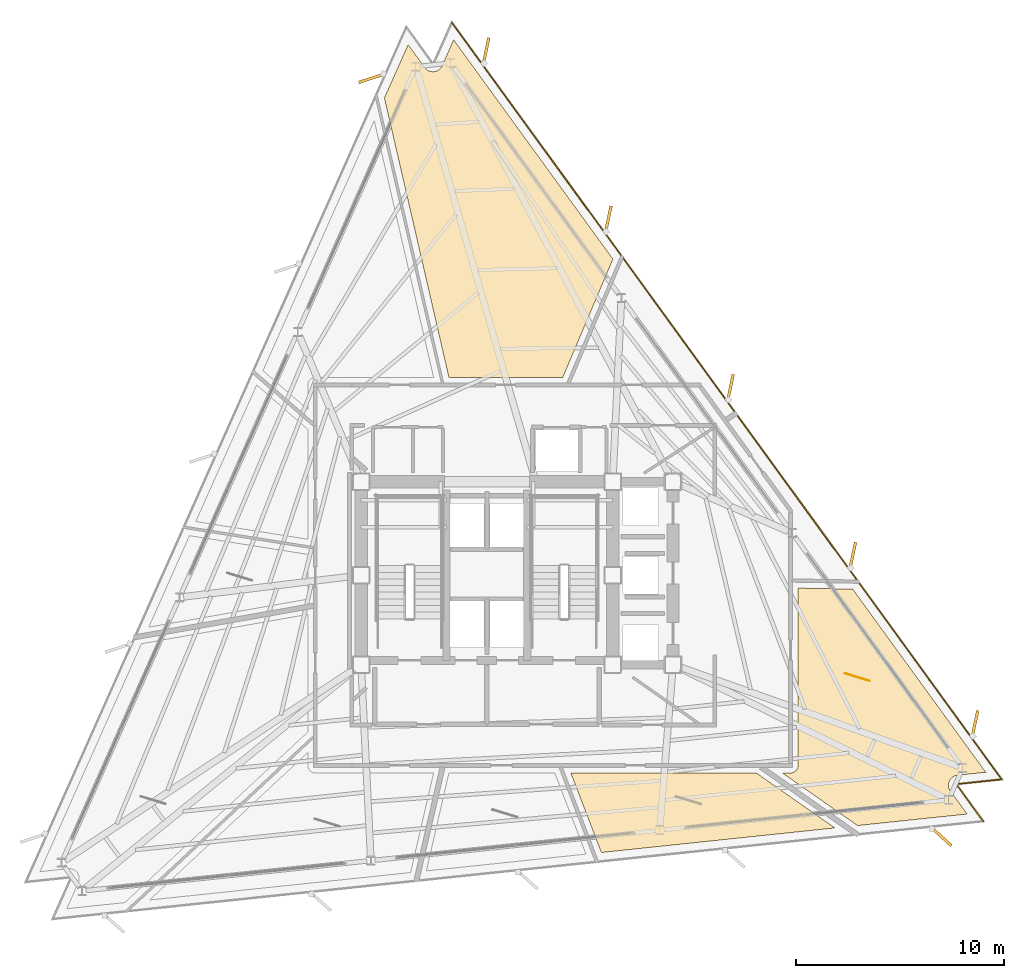
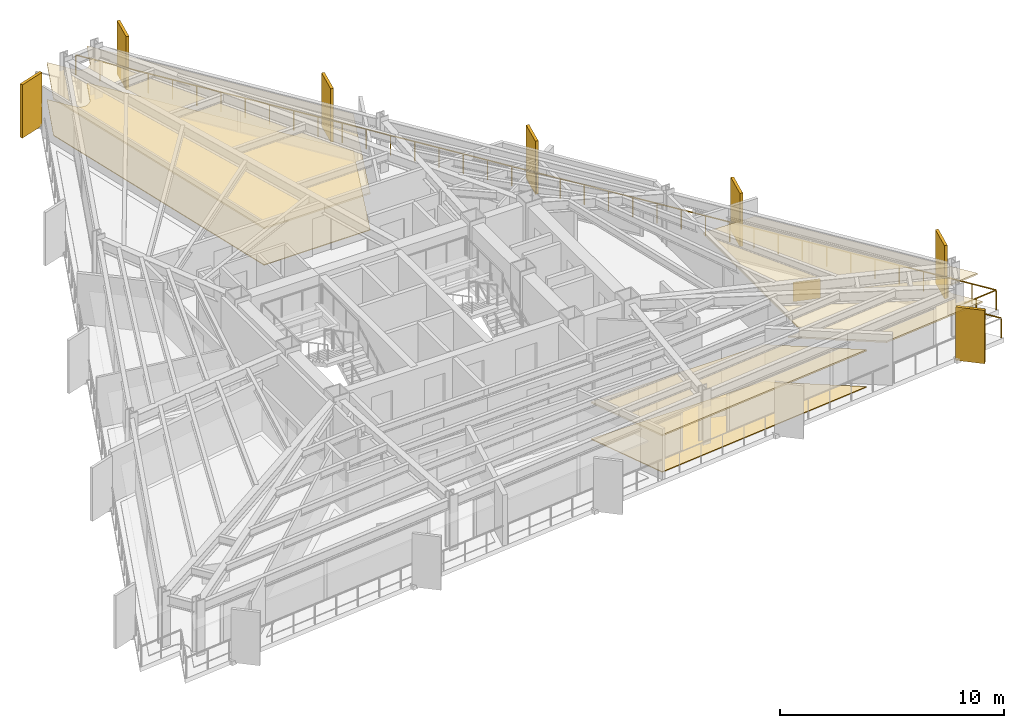
# One storey, part 12 of 12: 7 shading devices, 6 coverings, 1 railing.
"""IFC4 building model written with IfcOpenShell, lengths in metres."""

from ifc_helpers import new_model, si_unit, direction, frame, origin, origin_2d, place, context, subcontext, project, spatial, polyline, rectangle, outline, extrude, material, layer, layer_set, type_object, element, save


model = new_model("IFC4")

# Units and contexts
model_context = context("Model", 3, precision=1e-05, world=origin(), true_north=direction((0.0, 1.0)))
body_context = subcontext(model_context, "Body", "Model", "MODEL_VIEW")
ifc_project = project(units=[si_unit("LENGTHUNIT", "METRE"), si_unit("AREAUNIT", "SQUARE_METRE"), si_unit("VOLUMEUNIT", "CUBIC_METRE"), si_unit("PLANEANGLEUNIT", "RADIAN"), si_unit("MASSUNIT", "GRAM", prefix="KILO")], contexts=[model_context])

# Site, building, storey
site_placement = place(None, origin())
site = spatial("IfcSite", under=ifc_project, at=site_placement, CompositionType="ELEMENT")
building_placement = place(site_placement, origin())
building = spatial("IfcBuilding", under=site, at=building_placement, Name="Rocaltana Carrier Exchange", CompositionType="ELEMENT")
storey_placement = place(building_placement, frame((0.0, 0.0, 113.760009765625)))
storey = spatial("IfcBuildingStorey", under=building, at=storey_placement, Name="L35", CompositionType="ELEMENT", Elevation=113.760009765625)

# Coverings
ifc_material_1 = material(Name="Honed Bogota Sandstone Tile", Category="masonry")
ifc_layer_1 = layer(ifc_material_1, 0.0400390625)
ifc_layer_set_1 = layer_set([ifc_layer_1], Name="Honed Bogota Sandstone Tile")
covering_type_1 = type_object("IfcCoveringType", Name="Honed Stone Lobby Flooring 40", PredefinedType="FLOORING", material=ifc_layer_set_1)
covering_1_placement = place(storey_placement, origin())
element("IfcCovering", 1, at=covering_1_placement, inside=storey, type_object=covering_type_1, Name="L35 Executive Peering Boardroom Finish Floor", PredefinedType="FLOORING", context=body_context, shape_type="SweptSolid", body=[
    extrude(outline(polyline([(5.5048828125, -13.3359375), (4.0361328125, -9.510009765625), (12.9541015625, -9.510009765625), (16.732666015625, -12.15576171875), (5.5048828125, -13.3359375)])), origin(), (0.0, 0.0, 1.0), 0.0400390625),
])
covering_2_placement = place(storey_placement, origin())
element("IfcCovering", 2, at=covering_2_placement, inside=storey, type_object=covering_type_1, Name="L35 Peering Conference Room Finish Floor", PredefinedType="FLOORING", context=body_context, shape_type="SweptSolid", body=[
    extrude(outline(polyline([(-3.787841796875, 25.51513671875), (-2.9833984375, 24.407958984375), (-2.974853515625, 24.39697265625), (-2.96240234375, 24.38134765625), (-2.943603515625, 24.360595703125), (-2.9296875, 24.34619140625), (-2.9091796875, 24.327392578125), (-2.893798828125, 24.314697265625), (-2.87158203125, 24.2978515625), (-2.85498046875, 24.286865234375), (-2.8310546875, 24.272216796875), (-2.8134765625, 24.262939453125), (-2.788330078125, 24.2509765625), (-2.77001953125, 24.243408203125), (-2.74365234375, 24.23388671875), (-2.724609375, 24.22802734375), (-2.697509765625, 24.22119140625), (-2.677978515625, 24.217529296875), (-2.650390625, 24.21337890625), (-2.630615234375, 24.211669921875), (-2.6025390625, 24.210205078125), (-2.58251953125, 24.21044921875), (-2.5546875, 24.2119140625), (-2.534912109375, 24.214111328125), (-2.50732421875, 24.21826171875), (-2.48779296875, 24.222412109375), (-2.460693359375, 24.2294921875), (-2.44189453125, 24.2353515625), (-2.41552734375, 24.2451171875), (-2.397216796875, 24.2529296875), (-2.372314453125, 24.26513671875), (-2.354736328125, 24.274658203125), (-2.3310546875, 24.289306640625), (-2.314697265625, 24.30078125), (-2.29248046875, 24.317626953125), (-2.277099609375, 24.33056640625), (-2.2568359375, 24.349609375), (-2.242919921875, 24.364013671875), (-2.224609375, 24.385009765625), (-2.212158203125, 24.400634765625), (-2.196044921875, 24.42333984375), (-2.185302734375, 24.440185546875), (-2.17138671875, 24.464599609375), (-2.16259765625, 24.482421875), (-2.156494140625, 24.494873046875), (-1.599853515625, 25.7451171875), (6.061279296875, 15.20068359375), (3.645751953125, 9.510009765625), (-1.826171875, 9.510009765625), (-4.92919921875, 22.951416015625), (-3.787841796875, 25.51513671875)])), origin(), (0.0, 0.0, 1.0), 0.0400390625),
])
ifc_material_2 = material(Name="Anodised Aluminium 6063-T6", Category="aluminium")
ifc_layer_2 = layer(ifc_material_2, 0.0849609375)
ifc_layer_set_2 = layer_set([ifc_layer_2], Name="Anodised Aluminium 6063-T6")
covering_type_2 = type_object("IfcCoveringType", Name="Linear Baffle Acoustic Ceiling 85", PredefinedType="CEILING", material=ifc_layer_set_2)
covering_3_placement = place(storey_placement, frame((0.0, 0.0, 1.972900390625)))
element("IfcCovering", 3, at=covering_3_placement, inside=storey, type_object=covering_type_2, Name="L35 Executive Peering Boardroom Acoustic Ceiling", PredefinedType="CEILING", context=body_context, shape_type="SweptSolid", body=[
    extrude(outline(polyline([(5.5048828125, -13.3359375), (4.0361328125, -9.510009765625), (12.9541015625, -9.510009765625), (16.732666015625, -12.15576171875), (5.5048828125, -13.3359375)])), origin(), (0.0, 0.0, 1.0), 0.085205078125),
])
covering_4_placement = place(storey_placement, frame((0.0, 0.0, 1.972900390625)))
element("IfcCovering", 4, at=covering_4_placement, inside=storey, type_object=covering_type_2, Name="L35 Quiet Focus Lounge Acoustic Ceiling", PredefinedType="CEILING", context=body_context, shape_type="SweptSolid", body=[
    extrude(outline(polyline([(23.99072265625, -9.477294921875), (22.62939453125, -9.620361328125), (22.61572265625, -9.6220703125), (22.595947265625, -9.625244140625), (22.568603515625, -9.630859375), (22.54931640625, -9.635986328125), (22.522705078125, -9.644287109375), (22.50390625, -9.651123046875), (22.478271484375, -9.662109375), (22.46044921875, -9.6708984375), (22.43603515625, -9.684326171875), (22.4189453125, -9.69482421875), (22.39599609375, -9.710693359375), (22.380126953125, -9.722900390625), (22.35888671875, -9.74072265625), (22.344482421875, -9.75439453125), (22.324951171875, -9.774658203125), (22.311767578125, -9.78955078125), (22.294677734375, -9.8115234375), (22.282958984375, -9.82763671875), (22.26806640625, -9.851318359375), (22.258056640625, -9.86865234375), (22.24560546875, -9.8935546875), (22.2373046875, -9.91162109375), (22.227294921875, -9.937744140625), (22.220947265625, -9.956787109375), (22.213623046875, -9.983642578125), (22.209228515625, -10.0029296875), (22.20458984375, -10.030517578125), (22.2021484375, -10.05029296875), (22.2001953125, -10.078125), (22.19970703125, -10.09814453125), (22.20068359375, -10.1259765625), (22.202392578125, -10.14599609375), (22.205810546875, -10.173583984375), (22.20947265625, -10.193115234375), (22.2158203125, -10.220458984375), (22.22119140625, -10.239501953125), (22.230224609375, -10.26611328125), (22.23779296875, -10.284423828125), (22.249267578125, -10.309814453125), (22.258544921875, -10.32763671875), (22.272705078125, -10.351806640625), (22.283447265625, -10.368408203125), (22.29150390625, -10.3798828125), (23.095947265625, -11.487060546875), (17.82421875, -12.041015625), (14.209228515625, -9.510009765625), (14.60009765625, -9.510009765625), (14.61376953125, -9.509765625), (14.62158203125, -9.50927734375), (14.64892578125, -9.506591796875), (14.65673828125, -9.50537109375), (14.68359375, -9.5), (14.69140625, -9.498291015625), (14.717529296875, -9.490234375), (14.724853515625, -9.487548828125), (14.750244140625, -9.47705078125), (14.75732421875, -9.4736328125), (14.78173828125, -9.460693359375), (14.788330078125, -9.456787109375), (14.811279296875, -9.44140625), (14.8173828125, -9.436767578125), (14.8388671875, -9.419189453125), (14.844482421875, -9.4140625), (14.864013671875, -9.39453125), (14.869384765625, -9.388916015625), (14.88671875, -9.367431640625), (14.891357421875, -9.361083984375), (14.90673828125, -9.33837890625), (14.91064453125, -9.331787109375), (14.923583984375, -9.307373046875), (14.927001953125, -9.30029296875), (14.9375, -9.27490234375), (14.940185546875, -9.267578125), (14.9482421875, -9.2412109375), (14.9501953125, -9.233642578125), (14.955322265625, -9.206787109375), (14.95654296875, -9.198974609375), (14.959228515625, -9.171630859375), (14.959716796875, -9.163818359375), (14.9599609375, -9.14990234375), (14.9599609375, -0.62109375), (17.58984375, -0.6669921875), (23.99072265625, -9.477294921875)])), origin(), (0.0, 0.0, 1.0), 0.085205078125),
])
covering_5_placement = place(storey_placement, frame((0.0, 0.0, 1.972900390625)))
element("IfcCovering", 5, at=covering_5_placement, inside=storey, type_object=covering_type_2, Name="L35 Peering Conference Room Acoustic Ceiling", PredefinedType="CEILING", context=body_context, shape_type="SweptSolid", body=[
    extrude(outline(polyline([(-3.787841796875, 25.51513671875), (-2.9833984375, 24.407958984375), (-2.974853515625, 24.39697265625), (-2.96240234375, 24.38134765625), (-2.943603515625, 24.360595703125), (-2.9296875, 24.34619140625), (-2.9091796875, 24.327392578125), (-2.893798828125, 24.314697265625), (-2.87158203125, 24.2978515625), (-2.85498046875, 24.286865234375), (-2.8310546875, 24.272216796875), (-2.8134765625, 24.262939453125), (-2.788330078125, 24.2509765625), (-2.77001953125, 24.243408203125), (-2.74365234375, 24.23388671875), (-2.724609375, 24.22802734375), (-2.697509765625, 24.22119140625), (-2.677978515625, 24.217529296875), (-2.650390625, 24.21337890625), (-2.630615234375, 24.211669921875), (-2.6025390625, 24.210205078125), (-2.58251953125, 24.21044921875), (-2.5546875, 24.2119140625), (-2.534912109375, 24.214111328125), (-2.50732421875, 24.21826171875), (-2.48779296875, 24.222412109375), (-2.460693359375, 24.2294921875), (-2.44189453125, 24.2353515625), (-2.41552734375, 24.2451171875), (-2.397216796875, 24.2529296875), (-2.372314453125, 24.26513671875), (-2.354736328125, 24.274658203125), (-2.3310546875, 24.289306640625), (-2.314697265625, 24.30078125), (-2.29248046875, 24.317626953125), (-2.277099609375, 24.33056640625), (-2.2568359375, 24.349609375), (-2.242919921875, 24.364013671875), (-2.224609375, 24.385009765625), (-2.212158203125, 24.400634765625), (-2.196044921875, 24.42333984375), (-2.185302734375, 24.440185546875), (-2.17138671875, 24.464599609375), (-2.16259765625, 24.482421875), (-2.156494140625, 24.494873046875), (-1.599853515625, 25.7451171875), (6.061279296875, 15.20068359375), (3.645751953125, 9.510009765625), (-1.826171875, 9.510009765625), (-4.92919921875, 22.951416015625), (-3.787841796875, 25.51513671875)])), origin(), (0.0, 0.0, 1.0), 0.085205078125),
])
ifc_material_3 = material(Name="Honed Piedra Muneca Sandstone", Category="masonry")
ifc_layer_3 = layer(ifc_material_3, 0.034912109375)
ifc_layer_set_3 = layer_set([ifc_layer_3], Name="Honed Piedra Muneca Sandstone")
covering_type_3 = type_object("IfcCoveringType", Name="Stone Facade Cladding 35", PredefinedType="CLADDING", material=ifc_layer_set_3)
covering_6_placement = place(storey_placement, frame((17.815673828125, -4.908447265625, 0.0), z_axis=(0.0, 0.0, 1.0), x_axis=(-0.956304755963, 0.292371704723, 0.0)))
element("IfcCovering", 6, at=covering_6_placement, inside=storey, type_object=covering_type_3, Name="L35 Stone Facade Cladding Panel 7", PredefinedType="CLADDING", context=body_context, shape_type="SweptSolid", body=[
    extrude(rectangle(XDim=1.25, YDim=0.034912109375, at=origin_2d()), origin(), (0.0, 0.0, 1.0), 1.050048828125),
])

# Shading devices
ifc_material_4 = material(Name="Honed Bogota Sandstone & Concrete C45/55", Category="masonry")
ifc_layer_4 = layer(ifc_material_4, 0.139892578125)
ifc_layer_set_4 = layer_set([ifc_layer_4], Name="Honed Bogota Sandstone & Concrete C45/55")
shading_device_type = type_object("IfcShadingDeviceType", Name="Vertical Sandstone Shading Fin 1320x140", PredefinedType="USERDEFINED", material=ifc_layer_set_4)
for number, where, z_axis, x_axis, name in (
    (7, (23.46826171875, -7.15771484375, -0.1201171875), (0.0, 0.0, 1.0), (0.207911690818, 0.978147600734, 0.0), "L35 Sandstone Vertical Fin F1-01"),
    (8, (17.590576171875, 0.932373046875, -0.1201171875), (0.0, 0.0, 1.0), (0.207911690818, 0.978147600734, 0.0), "L35 Sandstone Vertical Fin F1-02"),
    (9, (11.712646484375, 9.0224609375, -0.1201171875), (0.0, 0.0, 1.0), (0.207911690818, 0.978147600734, 0.0), "L35 Sandstone Vertical Fin F1-03"),
    (10, (5.834716796875, 17.11279296875, -0.1201171875), (0.0, 0.0, 1.0), (0.207911690818, 0.978147600734, 0.0), "L35 Sandstone Vertical Fin F1-04"),
    (11, (-0.043212890625, 25.202880859375, -0.1201171875), (0.0, 0.0, 1.0), (0.207911690818, 0.978147600734, 0.0), "L35 Sandstone Vertical Fin F1-05"),
    (12, (-5.535400390625, 23.903076171875, -0.1201171875), (0.0, 0.0, 1.0), (-0.951056516295, -0.309016994375, 0.0), "L35 Sandstone Vertical Fin F2-01"),
    (13, (21.847900390625, -12.564208984375, -0.1201171875), (0.0, 0.0, 1.0), (0.743144825477, -0.669130606359, 0.0), "L35 Sandstone Vertical Fin F3-05"),
):
    element("IfcShadingDevice", number, at=place(storey_placement, frame(where, z_axis=z_axis, x_axis=x_axis)), inside=storey, type_object=shading_device_type, Name=name, ObjectType="FIN", PredefinedType="USERDEFINED", context=body_context, shape_type="SweptSolid", body=[
        extrude(rectangle(XDim=1.320068359375, YDim=0.139892578125, at=origin_2d()), origin(), (0.0, 0.0, 1.0), 2.907958984375),
    ])

# Railing
ifc_material_5 = material(Name="Powder-Coated Aluminium 6063-T6", Category="aluminium")
ifc_layer_5 = layer(ifc_material_5, 0.06005859375)
ifc_layer_set_5 = layer_set([ifc_layer_5], Name="Powder-Coated Aluminium 6063-T6")
railing_type = type_object("IfcRailingType", Name="Wind-Floor & Terrace Perimeter Guardrail 1100", PredefinedType="GUARDRAIL", material=ifc_layer_set_5)
railing_placement = place(storey_placement, frame((-1.687744140625, 26.58056640625, 0.0)))
element("IfcRailing", 14, at=railing_placement, inside=storey, type_object=railing_type, Name="L35 Perimeter Balcony Guardrail 3", PredefinedType="GUARDRAIL", context=body_context, shape_type="SweptSolid", body=[
    extrude(rectangle(XDim=0.048095703125, YDim=0.048095703125, at=origin_2d()), frame((0.0, 0.0, 1.076171875), z_axis=(0.587786393813, -0.809016165011, 0.0), x_axis=(0.809016165011, 0.587786393813, 0.0)), (0.0, 0.0, 1.0), 44.9921875),
    extrude(rectangle(XDim=0.048095703125, YDim=0.048095703125, at=origin_2d()), frame((26.44580078125, -36.3994140625, 1.076171875), z_axis=(-0.994521251134, -0.104534592565, 0.0), x_axis=(0.104534592565, -0.994521251134, 0.0)), (0.0, 0.0, 1.0), 2.199951171875),
    extrude(rectangle(XDim=0.048095703125, YDim=0.048095703125, at=origin_2d()), frame((24.2578125, -36.62939453125, 1.076171875), z_axis=(0.587821928992, -0.808990345923, 0.0), x_axis=(0.808990345923, 0.587821928992, 0.0)), (0.0, 0.0, 1.0), 2.199951171875),
    extrude(rectangle(XDim=0.0419921875, YDim=0.0419921875, at=origin_2d()), origin(), (0.0, 0.0, 1.0), 1.052001953125),
    extrude(rectangle(XDim=0.0419921875, YDim=0.0419921875, at=origin_2d()), frame((0.696044921875, -0.957763671875, 0.0)), (0.0, 0.0, 1.0), 1.052001953125),
    extrude(rectangle(XDim=0.0419921875, YDim=0.0419921875, at=origin_2d()), frame((1.391845703125, -1.915771484375, 0.0)), (0.0, 0.0, 1.0), 1.052001953125),
    extrude(rectangle(XDim=0.0419921875, YDim=0.0419921875, at=origin_2d()), frame((2.087890625, -2.87353515625, 0.0)), (0.0, 0.0, 1.0), 1.052001953125),
    extrude(rectangle(XDim=0.0419921875, YDim=0.0419921875, at=origin_2d()), frame((2.78369140625, -3.83154296875, 0.0)), (0.0, 0.0, 1.0), 1.052001953125),
    extrude(rectangle(XDim=0.0419921875, YDim=0.0419921875, at=origin_2d()), frame((3.479736328125, -4.789306640625, 0.0)), (0.0, 0.0, 1.0), 1.052001953125),
    extrude(rectangle(XDim=0.0419921875, YDim=0.0419921875, at=origin_2d()), frame((4.175537109375, -5.747314453125, 0.0)), (0.0, 0.0, 1.0), 1.052001953125),
    extrude(rectangle(XDim=0.0419921875, YDim=0.0419921875, at=origin_2d()), frame((4.87158203125, -6.705078125, 0.0)), (0.0, 0.0, 1.0), 1.052001953125),
    extrude(rectangle(XDim=0.0419921875, YDim=0.0419921875, at=origin_2d()), frame((5.567626953125, -7.6630859375, 0.0)), (0.0, 0.0, 1.0), 1.052001953125),
    extrude(rectangle(XDim=0.0419921875, YDim=0.0419921875, at=origin_2d()), frame((6.263427734375, -8.620849609375, 0.0)), (0.0, 0.0, 1.0), 1.052001953125),
    extrude(rectangle(XDim=0.0419921875, YDim=0.0419921875, at=origin_2d()), frame((6.95947265625, -9.578857421875, 0.0)), (0.0, 0.0, 1.0), 1.052001953125),
    extrude(rectangle(XDim=0.0419921875, YDim=0.0419921875, at=origin_2d()), frame((7.6552734375, -10.53662109375, 0.0)), (0.0, 0.0, 1.0), 1.052001953125),
    extrude(rectangle(XDim=0.0419921875, YDim=0.0419921875, at=origin_2d()), frame((8.351318359375, -11.49462890625, 0.0)), (0.0, 0.0, 1.0), 1.052001953125),
    extrude(rectangle(XDim=0.0419921875, YDim=0.0419921875, at=origin_2d()), frame((9.04736328125, -12.452392578125, 0.0)), (0.0, 0.0, 1.0), 1.052001953125),
    extrude(rectangle(XDim=0.0419921875, YDim=0.0419921875, at=origin_2d()), frame((9.7431640625, -13.410400390625, 0.0)), (0.0, 0.0, 1.0), 1.052001953125),
    extrude(rectangle(XDim=0.0419921875, YDim=0.0419921875, at=origin_2d()), frame((10.439208984375, -14.3681640625, 0.0)), (0.0, 0.0, 1.0), 1.052001953125),
    extrude(rectangle(XDim=0.0419921875, YDim=0.0419921875, at=origin_2d()), frame((11.135009765625, -15.326171875, 0.0)), (0.0, 0.0, 1.0), 1.052001953125),
    extrude(rectangle(XDim=0.0419921875, YDim=0.0419921875, at=origin_2d()), frame((11.8310546875, -16.283935546875, 0.0)), (0.0, 0.0, 1.0), 1.052001953125),
    extrude(rectangle(XDim=0.0419921875, YDim=0.0419921875, at=origin_2d()), frame((12.52685546875, -17.241943359375, 0.0)), (0.0, 0.0, 1.0), 1.052001953125),
    extrude(rectangle(XDim=0.0419921875, YDim=0.0419921875, at=origin_2d()), frame((13.222900390625, -18.19970703125, 0.0)), (0.0, 0.0, 1.0), 1.052001953125),
    extrude(rectangle(XDim=0.0419921875, YDim=0.0419921875, at=origin_2d()), frame((13.9189453125, -19.157470703125, 0.0)), (0.0, 0.0, 1.0), 1.052001953125),
    extrude(rectangle(XDim=0.0419921875, YDim=0.0419921875, at=origin_2d()), frame((14.61474609375, -20.115478515625, 0.0)), (0.0, 0.0, 1.0), 1.052001953125),
    extrude(rectangle(XDim=0.0419921875, YDim=0.0419921875, at=origin_2d()), frame((15.310791015625, -21.0732421875, 0.0)), (0.0, 0.0, 1.0), 1.052001953125),
    extrude(rectangle(XDim=0.0419921875, YDim=0.0419921875, at=origin_2d()), frame((16.006591796875, -22.03125, 0.0)), (0.0, 0.0, 1.0), 1.052001953125),
    extrude(rectangle(XDim=0.0419921875, YDim=0.0419921875, at=origin_2d()), frame((16.70263671875, -22.989013671875, 0.0)), (0.0, 0.0, 1.0), 1.052001953125),
    extrude(rectangle(XDim=0.0419921875, YDim=0.0419921875, at=origin_2d()), frame((17.3984375, -23.947021484375, 0.0)), (0.0, 0.0, 1.0), 1.052001953125),
    extrude(rectangle(XDim=0.0419921875, YDim=0.0419921875, at=origin_2d()), frame((18.094482421875, -24.90478515625, 0.0)), (0.0, 0.0, 1.0), 1.052001953125),
    extrude(rectangle(XDim=0.0419921875, YDim=0.0419921875, at=origin_2d()), frame((18.79052734375, -25.86279296875, 0.0)), (0.0, 0.0, 1.0), 1.052001953125),
    extrude(rectangle(XDim=0.0419921875, YDim=0.0419921875, at=origin_2d()), frame((19.486328125, -26.820556640625, 0.0)), (0.0, 0.0, 1.0), 1.052001953125),
    extrude(rectangle(XDim=0.0419921875, YDim=0.0419921875, at=origin_2d()), frame((20.182373046875, -27.778564453125, 0.0)), (0.0, 0.0, 1.0), 1.052001953125),
    extrude(rectangle(XDim=0.0419921875, YDim=0.0419921875, at=origin_2d()), frame((20.878173828125, -28.736328125, 0.0)), (0.0, 0.0, 1.0), 1.052001953125),
    extrude(rectangle(XDim=0.0419921875, YDim=0.0419921875, at=origin_2d()), frame((21.57421875, -29.6943359375, 0.0)), (0.0, 0.0, 1.0), 1.052001953125),
    extrude(rectangle(XDim=0.0419921875, YDim=0.0419921875, at=origin_2d()), frame((22.270263671875, -30.652099609375, 0.0)), (0.0, 0.0, 1.0), 1.052001953125),
    extrude(rectangle(XDim=0.0419921875, YDim=0.0419921875, at=origin_2d()), frame((22.966064453125, -31.610107421875, 0.0)), (0.0, 0.0, 1.0), 1.052001953125),
    extrude(rectangle(XDim=0.0419921875, YDim=0.0419921875, at=origin_2d()), frame((23.662109375, -32.56787109375, 0.0)), (0.0, 0.0, 1.0), 1.052001953125),
    extrude(rectangle(XDim=0.0419921875, YDim=0.0419921875, at=origin_2d()), frame((24.35791015625, -33.52587890625, 0.0)), (0.0, 0.0, 1.0), 1.052001953125),
    extrude(rectangle(XDim=0.0419921875, YDim=0.0419921875, at=origin_2d()), frame((25.053955078125, -34.483642578125, 0.0)), (0.0, 0.0, 1.0), 1.052001953125),
    extrude(rectangle(XDim=0.0419921875, YDim=0.0419921875, at=origin_2d()), frame((25.749755859375, -35.441650390625, 0.0)), (0.0, 0.0, 1.0), 1.052001953125),
    extrude(rectangle(XDim=0.0419921875, YDim=0.0419921875, at=origin_2d()), frame((26.44580078125, -36.3994140625, 0.0)), (0.0, 0.0, 1.0), 1.052001953125),
    extrude(rectangle(XDim=0.0419921875, YDim=0.0419921875, at=origin_2d()), frame((25.351806640625, -36.514404296875, 0.0)), (0.0, 0.0, 1.0), 1.052001953125),
    extrude(rectangle(XDim=0.0419921875, YDim=0.0419921875, at=origin_2d()), frame((24.2578125, -36.62939453125, 0.0)), (0.0, 0.0, 1.0), 1.052001953125),
    extrude(rectangle(XDim=0.0419921875, YDim=0.0419921875, at=origin_2d()), frame((24.904296875, -37.519287109375, 0.0)), (0.0, 0.0, 1.0), 1.052001953125),
    extrude(rectangle(XDim=0.0419921875, YDim=0.0419921875, at=origin_2d()), frame((25.551025390625, -38.4091796875, 0.0)), (0.0, 0.0, 1.0), 1.052001953125),
])

save(model, "model.ifc")
